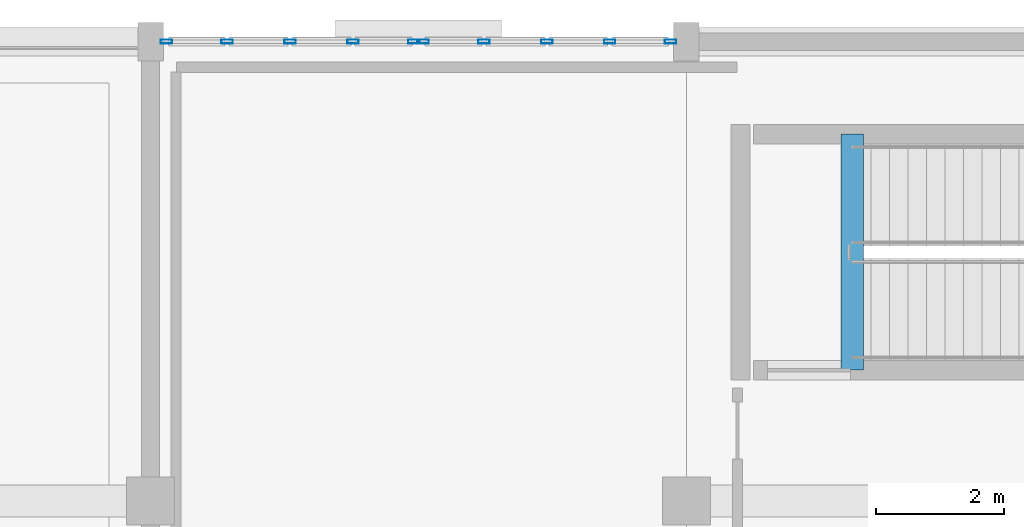
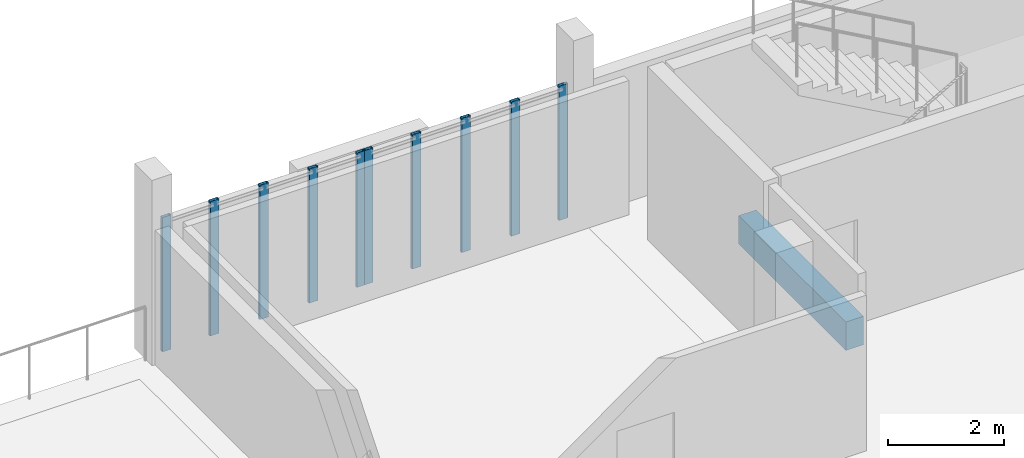
# One storey, part 111 of 188: 10 members, 1 beam, 2 elements without a shape of their own.
"""IFC4 building model written with IfcOpenShell, lengths in metres."""

from ifc_helpers import new_model, si_unit, direction, frame, origin, origin_2d, place, context, subcontext, project, spatial, rectangle, hollow_rectangle, extrude, material, layer, layer_set, material_profile, profile_set, type_object, element, aggregate, save


model = new_model("IFC4")

# Units and contexts
model_context = context("Model", 3, precision=1e-05, world=origin(), true_north=direction((0.0, 1.0)))
body_context = subcontext(model_context, "Body", "Model", "MODEL_VIEW")
ifc_project = project(units=[si_unit("LENGTHUNIT", "METRE"), si_unit("AREAUNIT", "SQUARE_METRE"), si_unit("VOLUMEUNIT", "CUBIC_METRE"), si_unit("PLANEANGLEUNIT", "RADIAN"), si_unit("MASSUNIT", "GRAM", prefix="KILO")], contexts=[model_context])

# Site, building, storey
site_placement = place(None, origin())
site = spatial("IfcSite", under=ifc_project, at=site_placement, CompositionType="ELEMENT")
building_placement = place(site_placement, origin())
building = spatial("IfcBuilding", under=site, at=building_placement, Name="Kisaragi Civic Commons", CompositionType="ELEMENT")
storey_placement = place(building_placement, frame((0.0, 0.0, 9.60009765625)))
storey = spatial("IfcBuildingStorey", under=building, at=storey_placement, Name="L02", CompositionType="ELEMENT", Elevation=9.60009765625)

# Curtain wall, members
ifc_material_1 = material(Name="Thermally broken anodized aluminium and low-E double glazing", Category="aluminium")
ifc_layer = layer(ifc_material_1, 0.179931640625, Name="Thermally broken anodized aluminium and low-E double glazing", Category="aluminium")
ifc_layer_set = layer_set([ifc_layer], Name="Thermally broken anodized aluminium and low-E double glazing")
curtain_wall_type = type_object("IfcCurtainWallType", Name="CW-01", PredefinedType="NOTDEFINED", material=ifc_layer_set)
curtain_wall_1_placement = place(storey_placement, origin())
curtain_wall_1 = element("IfcCurtainWall", 1, at=curtain_wall_1_placement, inside=storey, type_object=curtain_wall_type, Name="L02 curtain wall CW-01 CW-V4-L02-079", PredefinedType="NOTDEFINED")
ifc_material_profile_1 = material_profile(ifc_material_1, hollow_rectangle(XDim=0.06494140625, YDim=0.179931640625, WallThickness=0.00439453125, InnerFilletRadius=0.00439453125, OuterFilletRadius=0.009033203125, at=origin_2d()), Name="CWM-65x180x4.5", Category="aluminium")
ifc_profile_set_1 = profile_set([ifc_material_profile_1], Name="Thermally broken anodized aluminium and low-E double glazing")
member_type = type_object("IfcMemberType", Name="CWM-02", PredefinedType="MULLION", material=ifc_profile_set_1)
member_1_placement = place(storey_placement, frame((80.6474609375, 118.800048828125, 0.0), z_axis=(0.0, 0.0, 1.0), x_axis=(0.0, 1.0, 0.0)))
member_1 = element("IfcMember", 2, at=member_1_placement, type_object=member_type, Name="CW-01 mullion 1", PredefinedType="MULLION", context=body_context, shape_type="SweptSolid", body=[
    extrude(hollow_rectangle(XDim=0.06494140625, YDim=0.179931640625, WallThickness=0.00439453125, InnerFilletRadius=0.00439453125, OuterFilletRadius=0.009033203125, at=origin_2d()), origin(), (0.0, 0.0, 1.0), 2.829833984375),
])
member_2_placement = place(storey_placement, frame((81.601318359375, 118.800048828125, 0.0), z_axis=(0.0, 0.0, 1.0), x_axis=(0.0, 1.0, 0.0)))
member_2 = element("IfcMember", 3, at=member_2_placement, type_object=member_type, Name="CW-01 mullion 2", PredefinedType="MULLION", context=body_context, shape_type="SweptSolid", body=[
    extrude(hollow_rectangle(XDim=0.06494140625, YDim=0.179931640625, WallThickness=0.00439453125, InnerFilletRadius=0.00439453125, OuterFilletRadius=0.009033203125, at=origin_2d()), origin(), (0.0, 0.0, 1.0), 2.829833984375),
])
member_3_placement = place(storey_placement, frame((82.58740234375, 118.800048828125, 0.0), z_axis=(0.0, 0.0, 1.0), x_axis=(0.0, 1.0, 0.0)))
member_3 = element("IfcMember", 4, at=member_3_placement, type_object=member_type, Name="CW-01 mullion 3", PredefinedType="MULLION", context=body_context, shape_type="SweptSolid", body=[
    extrude(hollow_rectangle(XDim=0.06494140625, YDim=0.179931640625, WallThickness=0.00439453125, InnerFilletRadius=0.00439453125, OuterFilletRadius=0.009033203125, at=origin_2d()), origin(), (0.0, 0.0, 1.0), 2.829833984375),
])
member_4_placement = place(storey_placement, frame((83.57373046875, 118.800048828125, 0.0), z_axis=(0.0, 0.0, 1.0), x_axis=(0.0, 1.0, 0.0)))
member_4 = element("IfcMember", 5, at=member_4_placement, type_object=member_type, Name="CW-01 mullion 4", PredefinedType="MULLION", context=body_context, shape_type="SweptSolid", body=[
    extrude(hollow_rectangle(XDim=0.06494140625, YDim=0.179931640625, WallThickness=0.00439453125, InnerFilletRadius=0.00439453125, OuterFilletRadius=0.009033203125, at=origin_2d()), origin(), (0.0, 0.0, 1.0), 2.829833984375),
])
member_5_placement = place(storey_placement, frame((84.527587890625, 118.800048828125, 0.0), z_axis=(0.0, 0.0, 1.0), x_axis=(0.0, 1.0, 0.0)))
member_5 = element("IfcMember", 6, at=member_5_placement, type_object=member_type, Name="CW-01 mullion 5", PredefinedType="MULLION", context=body_context, shape_type="SweptSolid", body=[
    extrude(hollow_rectangle(XDim=0.06494140625, YDim=0.179931640625, WallThickness=0.00439453125, InnerFilletRadius=0.00439453125, OuterFilletRadius=0.009033203125, at=origin_2d()), origin(), (0.0, 0.0, 1.0), 2.829833984375),
])
aggregate(curtain_wall_1, [member_1, member_2, member_3, member_4, member_5])

curtain_wall_2_placement = place(storey_placement, origin())
curtain_wall_2 = element("IfcCurtainWall", 7, at=curtain_wall_2_placement, inside=storey, type_object=curtain_wall_type, Name="L02 curtain wall CW-01 CW-V4-L02-080", PredefinedType="NOTDEFINED")
member_6_placement = place(storey_placement, frame((84.672607421875, 118.800048828125, 0.0), z_axis=(0.0, 0.0, 1.0), x_axis=(0.0, 1.0, 0.0)))
member_6 = element("IfcMember", 8, at=member_6_placement, type_object=member_type, Name="CW-01 mullion 1", PredefinedType="MULLION", context=body_context, shape_type="SweptSolid", body=[
    extrude(hollow_rectangle(XDim=0.06494140625, YDim=0.179931640625, WallThickness=0.00439453125, InnerFilletRadius=0.00439453125, OuterFilletRadius=0.009033203125, at=origin_2d()), origin(), (0.0, 0.0, 1.0), 2.829833984375),
])
member_7_placement = place(storey_placement, frame((85.626220703125, 118.800048828125, 0.0), z_axis=(0.0, 0.0, 1.0), x_axis=(0.0, 1.0, 0.0)))
member_7 = element("IfcMember", 9, at=member_7_placement, type_object=member_type, Name="CW-01 mullion 2", PredefinedType="MULLION", context=body_context, shape_type="SweptSolid", body=[
    extrude(hollow_rectangle(XDim=0.06494140625, YDim=0.179931640625, WallThickness=0.00439453125, InnerFilletRadius=0.00439453125, OuterFilletRadius=0.009033203125, at=origin_2d()), origin(), (0.0, 0.0, 1.0), 2.829833984375),
])
member_8_placement = place(storey_placement, frame((86.612548828125, 118.800048828125, 0.0), z_axis=(0.0, 0.0, 1.0), x_axis=(0.0, 1.0, 0.0)))
member_8 = element("IfcMember", 10, at=member_8_placement, type_object=member_type, Name="CW-01 mullion 3", PredefinedType="MULLION", context=body_context, shape_type="SweptSolid", body=[
    extrude(hollow_rectangle(XDim=0.06494140625, YDim=0.179931640625, WallThickness=0.00439453125, InnerFilletRadius=0.00439453125, OuterFilletRadius=0.009033203125, at=origin_2d()), origin(), (0.0, 0.0, 1.0), 2.829833984375),
])
member_9_placement = place(storey_placement, frame((87.5986328125, 118.800048828125, 0.0), z_axis=(0.0, 0.0, 1.0), x_axis=(0.0, 1.0, 0.0)))
member_9 = element("IfcMember", 11, at=member_9_placement, type_object=member_type, Name="CW-01 mullion 4", PredefinedType="MULLION", context=body_context, shape_type="SweptSolid", body=[
    extrude(hollow_rectangle(XDim=0.06494140625, YDim=0.179931640625, WallThickness=0.00439453125, InnerFilletRadius=0.00439453125, OuterFilletRadius=0.009033203125, at=origin_2d()), origin(), (0.0, 0.0, 1.0), 2.829833984375),
])
member_10_placement = place(storey_placement, frame((88.552490234375, 118.800048828125, 0.0), z_axis=(0.0, 0.0, 1.0), x_axis=(0.0, 1.0, 0.0)))
member_10 = element("IfcMember", 12, at=member_10_placement, type_object=member_type, Name="CW-01 mullion 5", PredefinedType="MULLION", context=body_context, shape_type="SweptSolid", body=[
    extrude(hollow_rectangle(XDim=0.06494140625, YDim=0.179931640625, WallThickness=0.00439453125, InnerFilletRadius=0.00439453125, OuterFilletRadius=0.009033203125, at=origin_2d()), origin(), (0.0, 0.0, 1.0), 2.829833984375),
])
aggregate(curtain_wall_2, [member_6, member_7, member_8, member_9, member_10])

# Beam
ifc_material_2 = material(Name="Concrete Fc30", Category="concrete")
ifc_material_profile_2 = material_profile(ifc_material_2, rectangle(XDim=0.35009765625, YDim=0.60009765625, at=origin_2d()), Name="RC-350x600", Category="concrete")
ifc_profile_set_2 = profile_set([ifc_material_profile_2], Name="Concrete Fc30")
beam_type = type_object("IfcBeamType", Name="G-14", PredefinedType="BEAM", material=ifc_profile_set_2)
beam_placement = place(storey_placement, frame((91.39990234375, 113.64990234375, -0.300048828125), z_axis=(0.0, 1.0, 0.0), x_axis=(-1.0, 0.0, 0.0)))
element("IfcBeam", 13, at=beam_placement, inside=storey, type_object=beam_type, Name="ST-L4 L02 stair landing trimmer beam", PredefinedType="BEAM", context=body_context, shape_type="SweptSolid", body=[
    extrude(rectangle(XDim=0.35009765625, YDim=0.60009765625, at=origin_2d()), origin(), (0.0, 0.0, 1.0), 3.7001953125),
])

save(model, "model.ifc")
